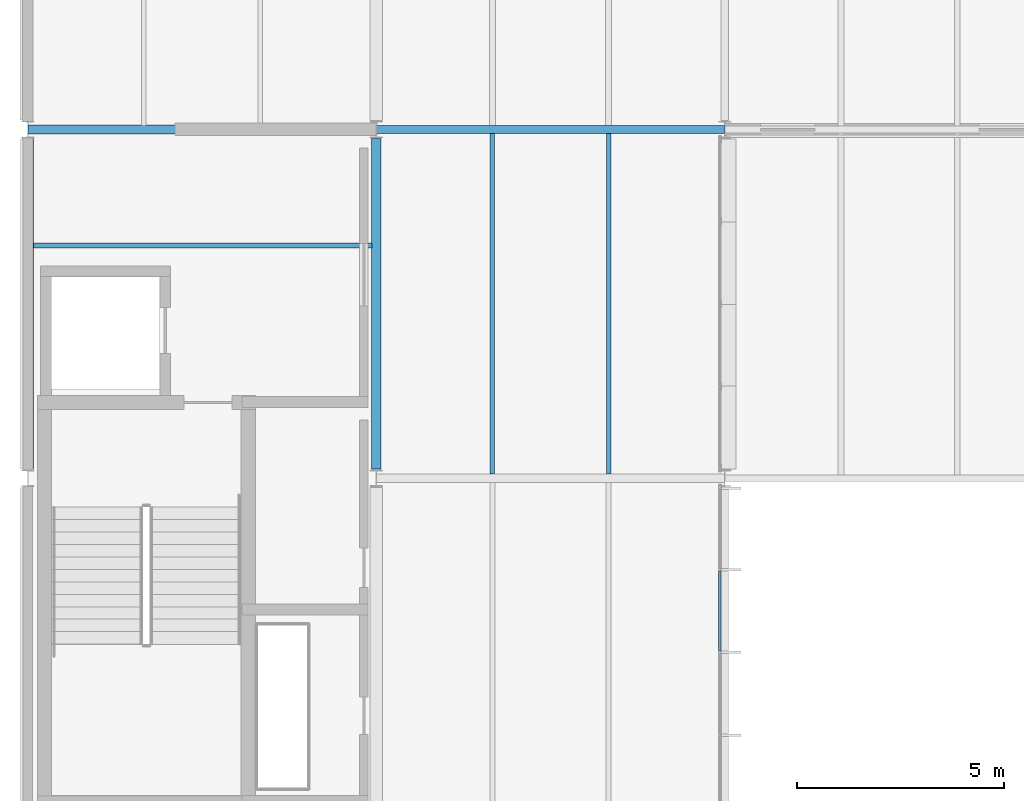
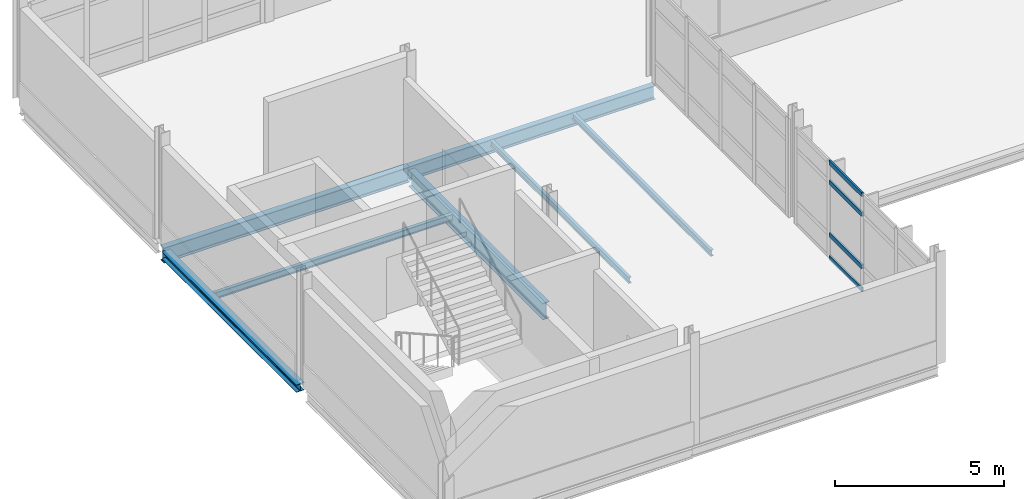
# One storey, part 39 of 151: 7 beams, 4 members, 1 element without a shape of its own.
"""IFC4 building model written with IfcOpenShell, lengths in metres."""

from ifc_helpers import new_model, si_unit, direction, frame, origin, origin_2d, place, context, subcontext, project, spatial, hollow_rectangle, i_section, extrude, material, material_profile, profile_set, type_object, element, aggregate, save


model = new_model("IFC4")

# Units and contexts
model_context = context("Model", 3, precision=1e-05, world=origin(), true_north=direction((0.0, 1.0)))
body_context = subcontext(model_context, "Body", "Model", "MODEL_VIEW")
ifc_project = project(units=[si_unit("LENGTHUNIT", "METRE"), si_unit("AREAUNIT", "SQUARE_METRE"), si_unit("VOLUMEUNIT", "CUBIC_METRE"), si_unit("PLANEANGLEUNIT", "RADIAN"), si_unit("MASSUNIT", "GRAM", prefix="KILO")], contexts=[model_context])

# Site, building, storey
site_placement = place(None, origin())
site = spatial("IfcSite", under=ifc_project, at=site_placement, CompositionType="ELEMENT")
building_placement = place(site_placement, origin())
building = spatial("IfcBuilding", under=site, at=building_placement, Name="Mersafa Astral City Hall", CompositionType="ELEMENT")
storey_placement = place(building_placement, frame((0.0, 0.0, 9.89990234375)))
storey = spatial("IfcBuildingStorey", under=building, at=storey_placement, Name="L02", CompositionType="ELEMENT", Elevation=9.89990234375)

# Curtain wall, members
ifc_material_1 = material(Name="Anodised bronze aluminium framing", Category="aluminium")
curtain_wall_type = type_object("IfcCurtainWallType", Name="ENV-CW-3", PredefinedType="USERDEFINED", material=ifc_material_1)
curtain_wall_placement = place(storey_placement, origin())
curtain_wall = element("IfcCurtainWall", 1, at=curtain_wall_placement, inside=storey, type_object=curtain_wall_type, Name="L02 Unitised solar curtain wall 134", ObjectType="UNITISED CURTAIN WALL", PredefinedType="USERDEFINED")
ifc_material_profile_1 = material_profile(ifc_material_1, hollow_rectangle(XDim=0.06005859375, YDim=0.159912109375, WallThickness=0.00390625, at=origin_2d()), Name="RHS 60x160x4")
ifc_profile_set_1 = profile_set([ifc_material_profile_1], Name="Anodised bronze aluminium framing")
member_type = type_object("IfcMemberType", Name="ENV-CW-TRN-2", PredefinedType="USERDEFINED", material=ifc_profile_set_1)
member_1_placement = place(storey_placement, frame((25.080078125, 79.830078125, 0.028076171875), z_axis=(0.0, 1.0, 0.0), x_axis=(-1.0, 0.0, 0.0)))
member_1 = element("IfcMember", 2, at=member_1_placement, type_object=member_type, Name="CW-3 transom 3.1", ObjectType="TRANSOM", PredefinedType="USERDEFINED", context=body_context, shape_type="SweptSolid", body=[
    extrude(hollow_rectangle(XDim=0.06005859375, YDim=0.159912109375, WallThickness=0.00390625, at=origin_2d()), origin(), (0.0, 0.0, 1.0), 1.933837890625),
])
member_2_placement = place(storey_placement, frame((25.080078125, 79.830078125, 0.85009765625), z_axis=(0.0, 1.0, 0.0), x_axis=(-1.0, 0.0, 0.0)))
member_2 = element("IfcMember", 3, at=member_2_placement, type_object=member_type, Name="CW-3 transom 3.2", ObjectType="TRANSOM", PredefinedType="USERDEFINED", context=body_context, shape_type="SweptSolid", body=[
    extrude(hollow_rectangle(XDim=0.06005859375, YDim=0.159912109375, WallThickness=0.00390625, at=origin_2d()), origin(), (0.0, 0.0, 1.0), 1.933837890625),
])
member_3_placement = place(storey_placement, frame((25.080078125, 79.830078125, 2.75), z_axis=(0.0, 1.0, 0.0), x_axis=(-1.0, 0.0, 0.0)))
member_3 = element("IfcMember", 4, at=member_3_placement, type_object=member_type, Name="CW-3 transom 3.3", ObjectType="TRANSOM", PredefinedType="USERDEFINED", context=body_context, shape_type="SweptSolid", body=[
    extrude(hollow_rectangle(XDim=0.06005859375, YDim=0.159912109375, WallThickness=0.00390625, at=origin_2d()), origin(), (0.0, 0.0, 1.0), 1.933837890625),
])
member_4_placement = place(storey_placement, frame((25.080078125, 79.830078125, 3.45703125), z_axis=(0.0, 1.0, 0.0), x_axis=(-1.0, 0.0, 0.0)))
member_4 = element("IfcMember", 5, at=member_4_placement, type_object=member_type, Name="CW-3 transom 3.4", ObjectType="TRANSOM", PredefinedType="USERDEFINED", context=body_context, shape_type="SweptSolid", body=[
    extrude(hollow_rectangle(XDim=0.06005859375, YDim=0.159912109375, WallThickness=0.00390625, at=origin_2d()), origin(), (0.0, 0.0, 1.0), 1.933837890625),
])
aggregate(curtain_wall, [member_1, member_2, member_3, member_4])

# Beams
ifc_material_2 = material(Name="Steel S355", Category="steel")
ifc_material_profile_2 = material_profile(ifc_material_2, i_section(OverallWidth=0.199951171875, OverallDepth=0.5, WebThickness=0.01025390625, FlangeThickness=0.01611328125, FilletRadius=0.02099609375, at=origin_2d()), Name="IPE 500")
ifc_profile_set_2 = profile_set([ifc_material_profile_2], Name="Steel S355")
beam_type_1 = type_object("IfcBeamType", Name="STR-BM-IPE500", PredefinedType="BEAM", material=ifc_profile_set_2)
beam_1_placement = place(storey_placement, frame((16.802978515625, 92.39990234375, -0.449951171875), z_axis=(1.0, 0.0, 0.0), x_axis=(0.0, 1.0, 0.0)))
element("IfcBeam", 6, at=beam_1_placement, inside=storey, type_object=beam_type_1, Name="L02 Primary girder X 2-11", PredefinedType="BEAM", context=body_context, shape_type="SweptSolid", body=[
    extrude(i_section(OverallWidth=0.199951171875, OverallDepth=0.5, WebThickness=0.01025390625, FlangeThickness=0.01611328125, FilletRadius=0.02099609375, at=origin_2d()), origin(), (0.0, 0.0, 1.0), 8.39404296875),
])
ifc_material_profile_3 = material_profile(ifc_material_2, i_section(OverallWidth=0.2099609375, OverallDepth=0.550048828125, WebThickness=0.010986328125, FlangeThickness=0.01708984375, FilletRadius=0.02392578125, at=origin_2d()), Name="IPE 550")
ifc_profile_set_3 = profile_set([ifc_material_profile_3], Name="Steel S355")
beam_type_2 = type_object("IfcBeamType", Name="STR-BM-IPE550", PredefinedType="BEAM", material=ifc_profile_set_3)
beam_2_placement = place(storey_placement, frame((8.403076171875, 92.39990234375, -0.474853515625), z_axis=(1.0, 0.0, 0.0), x_axis=(0.0, 1.0, 0.0)))
element("IfcBeam", 7, at=beam_2_placement, inside=storey, type_object=beam_type_2, Name="L02 Primary girder X 1-11", PredefinedType="BEAM", context=body_context, shape_type="SweptSolid", body=[
    extrude(i_section(OverallWidth=0.2099609375, OverallDepth=0.550048828125, WebThickness=0.010986328125, FlangeThickness=0.01708984375, FilletRadius=0.02392578125, at=origin_2d()), origin(), (0.0, 0.0, 1.0), 8.39404296875),
])
ifc_material_profile_4 = material_profile(ifc_material_2, i_section(OverallWidth=0.219970703125, OverallDepth=0.60009765625, WebThickness=0.011962890625, FlangeThickness=0.01904296875, FilletRadius=0.02392578125, at=origin_2d()), Name="IPE 600")
ifc_profile_set_4 = profile_set([ifc_material_profile_4], Name="Steel S355")
beam_type_3 = type_object("IfcBeamType", Name="STR-BM-IPE600", PredefinedType="BEAM", material=ifc_profile_set_4)
beam_3_placement = place(storey_placement, frame((16.800048828125, 84.219970703125, -0.5), z_axis=(0.0, 1.0, 0.0), x_axis=(-1.0, 0.0, 0.0)))
element("IfcBeam", 8, at=beam_3_placement, inside=storey, type_object=beam_type_3, Name="L02 Primary girder Y 2-10", PredefinedType="BEAM", context=body_context, shape_type="SweptSolid", body=[
    extrude(i_section(OverallWidth=0.219970703125, OverallDepth=0.60009765625, WebThickness=0.011962890625, FlangeThickness=0.01904296875, FilletRadius=0.02392578125, at=origin_2d()), origin(), (0.0, 0.0, 1.0), 7.9599609375),
])
ifc_material_profile_5 = material_profile(ifc_material_2, i_section(OverallWidth=0.110107421875, OverallDepth=0.219970703125, WebThickness=0.005859375, FlangeThickness=0.00927734375, FilletRadius=0.011962890625, at=origin_2d()), Name="IPE 220")
ifc_profile_set_5 = profile_set([ifc_material_profile_5], Name="Steel S355")
beam_type_4 = type_object("IfcBeamType", Name="STR-BM-JOIST-IPE220", PredefinedType="JOIST", material=ifc_profile_set_5)
for number, where, z_axis, x_axis, name in (
    (9, (19.60009765625, 84.10009765625, -0.309814453125), (0.0, 1.0, 0.0), (-1.0, 0.0, 0.0), "L02 Composite secondary floor joist 408"),
    (10, (22.39990234375, 84.10009765625, -0.309814453125), (0.0, 1.0, 0.0), (-1.0, 0.0, 0.0), "L02 Composite secondary floor joist 409"),
):
    element("IfcBeam", number, at=place(storey_placement, frame(where, z_axis=z_axis, x_axis=x_axis)), inside=storey, type_object=beam_type_4, Name=name, PredefinedType="JOIST", context=body_context, shape_type="SweptSolid", body=[
        extrude(i_section(OverallWidth=0.110107421875, OverallDepth=0.219970703125, WebThickness=0.005859375, FlangeThickness=0.00927734375, FilletRadius=0.011962890625, at=origin_2d()), origin(), (0.0, 0.0, 1.0), 8.204833984375),
    ])
ifc_material_profile_6 = material_profile(ifc_material_2, i_section(OverallWidth=0.1201171875, OverallDepth=0.239990234375, WebThickness=0.006103515625, FlangeThickness=0.009765625, FilletRadius=0.014892578125, at=origin_2d()), Name="IPE 240")
ifc_profile_set_6 = profile_set([ifc_material_profile_6], Name="Steel S355")
beam_type_5 = type_object("IfcBeamType", Name="STR-BM-JOIST-IPE240", PredefinedType="JOIST", material=ifc_profile_set_6)
beam_4_placement = place(storey_placement, frame((8.534912109375, 89.60009765625, -0.31982421875), z_axis=(1.0, 0.0, 0.0), x_axis=(0.0, 1.0, 0.0)))
element("IfcBeam", 11, at=beam_4_placement, inside=storey, type_object=beam_type_5, Name="L02 Composite secondary floor joist 403", PredefinedType="JOIST", context=body_context, shape_type="SweptSolid", body=[
    extrude(i_section(OverallWidth=0.1201171875, OverallDepth=0.239990234375, WebThickness=0.006103515625, FlangeThickness=0.009765625, FilletRadius=0.014892578125, at=origin_2d()), origin(), (0.0, 0.0, 1.0), 8.16015625),
])
ifc_material_profile_7 = material_profile(ifc_material_2, i_section(OverallWidth=0.280029296875, OverallDepth=0.27001953125, WebThickness=0.008056640625, FlangeThickness=0.012939453125, FilletRadius=0.02392578125, at=origin_2d()), Name="HEA 280")
ifc_profile_set_7 = profile_set([ifc_material_profile_7], Name="Steel S355")
beam_type_6 = type_object("IfcBeamType", Name="STR-BM-SPANDREL-HEA280", PredefinedType="SPANDREL", material=ifc_profile_set_7)
beam_5_placement = place(storey_placement, frame((8.39990234375, 84.219970703125, -0.3349609375), z_axis=(0.0, 1.0, 0.0), x_axis=(-1.0, 0.0, 0.0)))
element("IfcBeam", 12, at=beam_5_placement, inside=storey, type_object=beam_type_6, Name="L02 Primary girder Y 1-10", PredefinedType="SPANDREL", context=body_context, shape_type="SweptSolid", body=[
    extrude(i_section(OverallWidth=0.280029296875, OverallDepth=0.27001953125, WebThickness=0.008056640625, FlangeThickness=0.012939453125, FilletRadius=0.02392578125, at=origin_2d()), origin(), (0.0, 0.0, 1.0), 7.9599609375),
])

save(model, "model.ifc")
